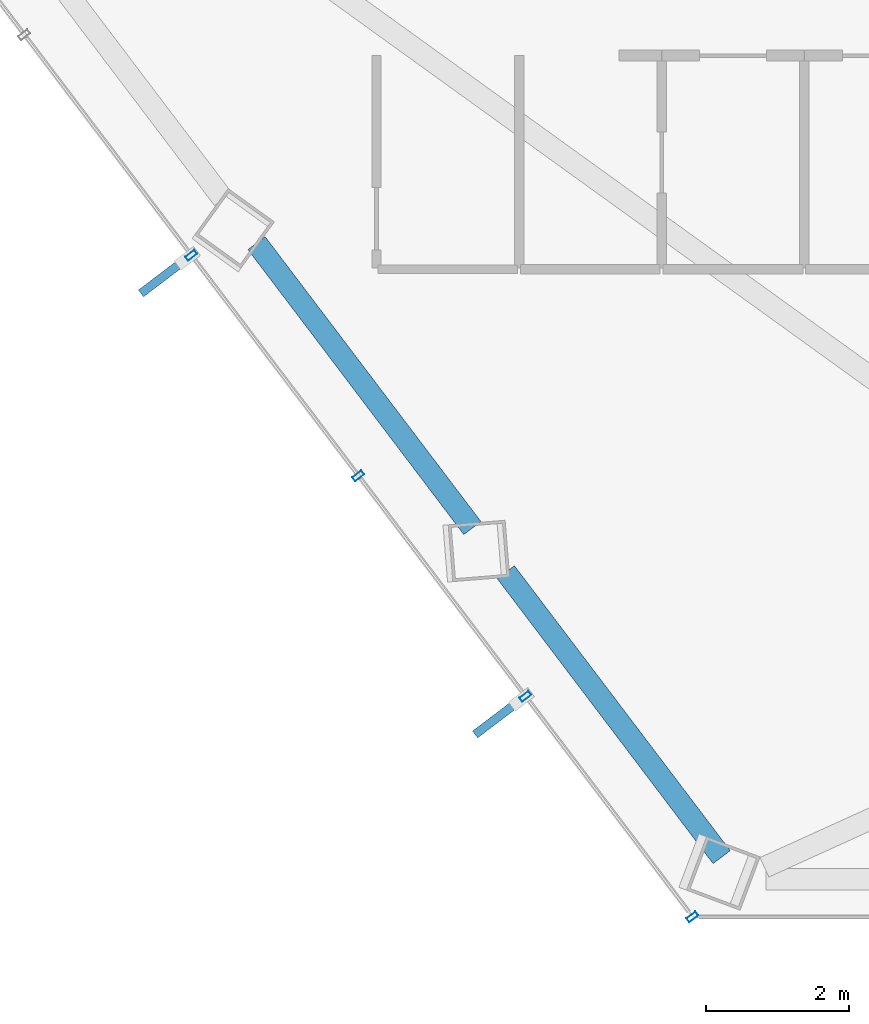
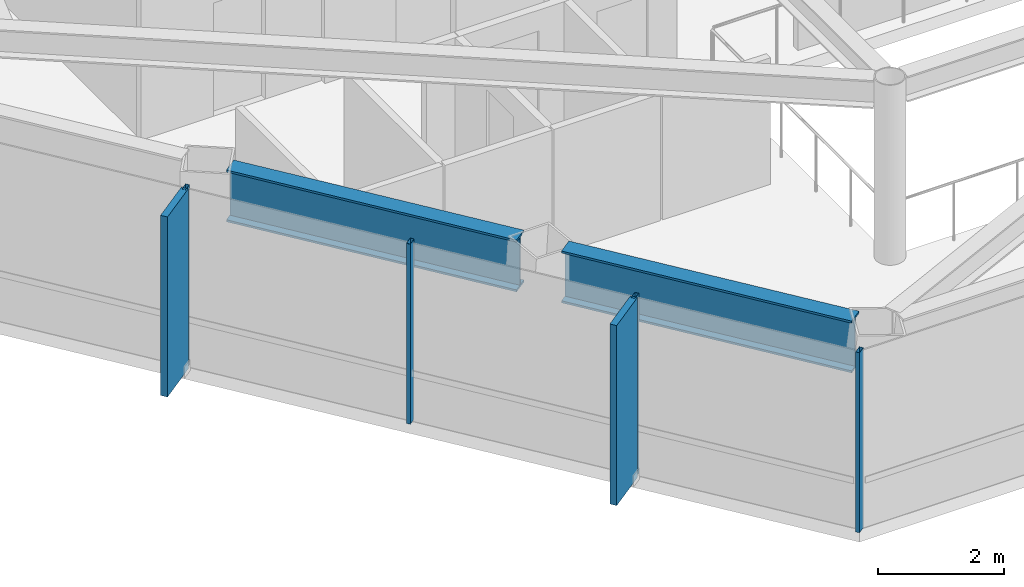
# One storey, part 2 of 30: 6 members, 2 beams, 1 element without a shape of its own.
"""IFC4 building model written with IfcOpenShell, lengths in metres."""

from ifc_helpers import new_model, si_unit, direction, frame, origin, origin_2d, place, context, subcontext, project, spatial, rectangle, hollow_rectangle, i_section, extrude, material, layer, layer_set, material_profile, profile_set, type_object, element, aggregate, save


model = new_model("IFC4")

# Units and contexts
model_context = context("Model", 3, precision=1e-05, world=origin(), true_north=direction((0.0, 1.0)))
body_context = subcontext(model_context, "Body", "Model", "MODEL_VIEW")
ifc_project = project(units=[si_unit("LENGTHUNIT", "METRE"), si_unit("AREAUNIT", "SQUARE_METRE"), si_unit("VOLUMEUNIT", "CUBIC_METRE"), si_unit("PLANEANGLEUNIT", "RADIAN"), si_unit("MASSUNIT", "GRAM", prefix="KILO")], contexts=[model_context])

# Site, building, storey
site_placement = place(None, origin())
site = spatial("IfcSite", under=ifc_project, at=site_placement, CompositionType="ELEMENT")
building_placement = place(site_placement, origin())
building = spatial("IfcBuilding", under=site, at=building_placement, Name="Zarrinselat Tower", CompositionType="ELEMENT")
storey_placement = place(building_placement, frame((0.0, 0.0, 130.89990234375)))
storey = spatial("IfcBuildingStorey", under=building, at=storey_placement, Name="L31", CompositionType="ELEMENT", Elevation=130.89990234375)

# Beams
ifc_material_1 = material(Name="Steel S460M", Category="steel")
ifc_material_profile_1 = material_profile(ifc_material_1, i_section(OverallWidth=0.302001953125, OverallDepth=1.008056640625, WebThickness=0.02099609375, FlangeThickness=0.0400390625, at=origin_2d()), Name="HEM 1000")
ifc_profile_set_1 = profile_set([ifc_material_profile_1], Name="Steel S460M")
beam_type = type_object("IfcBeamType", Name="BM-HEM1000", PredefinedType="BEAM", material=ifc_profile_set_1)
for number, where, z_axis, x_axis, name in (
    (1, (23.46630859375, 27.518798828125, 2.99609375), (0.60387174651, -0.797081497569, 0.0), (0.797081497569, 0.60387174651, 0.0), "L31 Perimeter Spandrel Girder SP08"),
    (2, (26.96337890625, 22.902587890625, 2.99609375), (0.603840817035, -0.797104928904, 0.0), (0.797104928904, 0.603840817035, 0.0), "L31 Perimeter Spandrel Girder SP09"),
):
    element("IfcBeam", number, at=place(storey_placement, frame(where, z_axis=z_axis, x_axis=x_axis)), inside=storey, type_object=beam_type, Name=name, PredefinedType="BEAM", context=body_context, shape_type="SweptSolid", body=[
        extrude(i_section(OverallWidth=0.302001953125, OverallDepth=1.008056640625, WebThickness=0.02099609375, FlangeThickness=0.0400390625, at=origin_2d()), origin(), (0.0, 0.0, 1.0), 5.01513671875),
    ])

# Curtain wall, members
ifc_material_2 = material(Name="Extruded Aluminium Alloy EN AW-6063 T6", Category="aluminium")
ifc_layer = layer(ifc_material_2, 0.175048828125)
ifc_layer_set = layer_set([ifc_layer], Name="Extruded Aluminium Alloy EN AW-6063 T6")
curtain_wall_type = type_object("IfcCurtainWallType", Name="CWS-HTL", PredefinedType="NOTDEFINED", material=ifc_layer_set)
curtain_wall_placement = place(storey_placement, origin())
curtain_wall = element("IfcCurtainWall", 3, at=curtain_wall_placement, inside=storey, type_object=curtain_wall_type, Name="L31 Unitised Curtain Wall CW-L31-E03", PredefinedType="NOTDEFINED")
ifc_material_3 = material(Name="Extruded Aluminium Alloy EN AW-6063 T6", Category="aluminium")
ifc_material_profile_2 = material_profile(ifc_material_3, hollow_rectangle(XDim=0.070068359375, YDim=0.159912109375, WallThickness=0.00390625, at=origin_2d()), Name="RHS 160x70x4")
ifc_profile_set_2 = profile_set([ifc_material_profile_2], Name="Extruded Aluminium Alloy EN AW-6063 T6")
member_type_1 = type_object("IfcMemberType", Name="MEM-CW-MUL2", PredefinedType="MULLION", material=ifc_profile_set_2)
member_1_placement = place(storey_placement, frame((22.55078125, 27.34765625, 0.0), z_axis=(0.0, 0.0, 1.0), x_axis=(0.603858349394, -0.797091647094, 0.0)))
member_1 = element("IfcMember", 4, at=member_1_placement, type_object=member_type_1, Name="CW-L31-E03 Mullion 3", PredefinedType="MULLION", context=body_context, shape_type="SweptSolid", body=[
    extrude(hollow_rectangle(XDim=0.070068359375, YDim=0.159912109375, WallThickness=0.00390625, at=origin_2d()), origin(), (0.0, 0.0, 1.0), 3.5),
])
member_2_placement = place(storey_placement, frame((24.89453125, 24.25390625, 0.0), z_axis=(0.0, 0.0, 1.0), x_axis=(0.603858349394, -0.797091647094, 0.0)))
member_2 = element("IfcMember", 5, at=member_2_placement, type_object=member_type_1, Name="CW-L31-E03 Mullion 4", PredefinedType="MULLION", context=body_context, shape_type="SweptSolid", body=[
    extrude(hollow_rectangle(XDim=0.070068359375, YDim=0.159912109375, WallThickness=0.00390625, at=origin_2d()), origin(), (0.0, 0.0, 1.0), 3.5),
])
member_3_placement = place(storey_placement, frame((27.23828125, 21.16015625, 0.0), z_axis=(0.0, 0.0, 1.0), x_axis=(0.603858349394, -0.797091647094, 0.0)))
member_3 = element("IfcMember", 6, at=member_3_placement, type_object=member_type_1, Name="CW-L31-E03 Mullion 5", PredefinedType="MULLION", context=body_context, shape_type="SweptSolid", body=[
    extrude(hollow_rectangle(XDim=0.070068359375, YDim=0.159912109375, WallThickness=0.00390625, at=origin_2d()), origin(), (0.0, 0.0, 1.0), 3.5),
])
member_4_placement = place(storey_placement, frame((29.58203125, 18.06640625, 0.0), z_axis=(0.0, 0.0, 1.0), x_axis=(0.603858349394, -0.797091647094, 0.0)))
member_4 = element("IfcMember", 7, at=member_4_placement, type_object=member_type_1, Name="CW-L31-E03 Mullion 6", PredefinedType="MULLION", context=body_context, shape_type="SweptSolid", body=[
    extrude(hollow_rectangle(XDim=0.070068359375, YDim=0.159912109375, WallThickness=0.00390625, at=origin_2d()), origin(), (0.0, 0.0, 1.0), 3.5),
])
ifc_material_4 = material(Name="Honed Cream Travertine Stone", Category="masonry")
ifc_material_profile_3 = material_profile(ifc_material_4, rectangle(XDim=0.1201171875, YDim=0.85009765625, at=origin_2d()), Name="FIN 850x120")
ifc_profile_set_3 = profile_set([ifc_material_profile_3], Name="Honed Cream Travertine Stone")
member_type_2 = type_object("IfcMemberType", Name="MEM-STONE-FIN", PredefinedType="USERDEFINED", material=ifc_profile_set_3)
member_5_placement = place(storey_placement, frame((22.18408203125, 27.06982421875, 0.0), z_axis=(0.0, 0.0, 1.0), x_axis=(-0.603858349394, 0.797091647094, 0.0)))
member_5 = element("IfcMember", 8, at=member_5_placement, type_object=member_type_2, Name="L31 Stone Shading Fin CW-L31-E03-03", ObjectType="FIN", PredefinedType="USERDEFINED", context=body_context, shape_type="SweptSolid", body=[
    extrude(rectangle(XDim=0.1201171875, YDim=0.85009765625, at=origin_2d()), origin(), (0.0, 0.0, 1.0), 3.5),
])
member_6_placement = place(storey_placement, frame((26.87158203125, 20.88232421875, 0.0), z_axis=(0.0, 0.0, 1.0), x_axis=(-0.603858349394, 0.797091647094, 0.0)))
member_6 = element("IfcMember", 9, at=member_6_placement, type_object=member_type_2, Name="L31 Stone Shading Fin CW-L31-E03-05", ObjectType="FIN", PredefinedType="USERDEFINED", context=body_context, shape_type="SweptSolid", body=[
    extrude(rectangle(XDim=0.1201171875, YDim=0.85009765625, at=origin_2d()), origin(), (0.0, 0.0, 1.0), 3.5),
])
aggregate(curtain_wall, [member_1, member_5, member_2, member_3, member_6, member_4])

save(model, "model.ifc")
